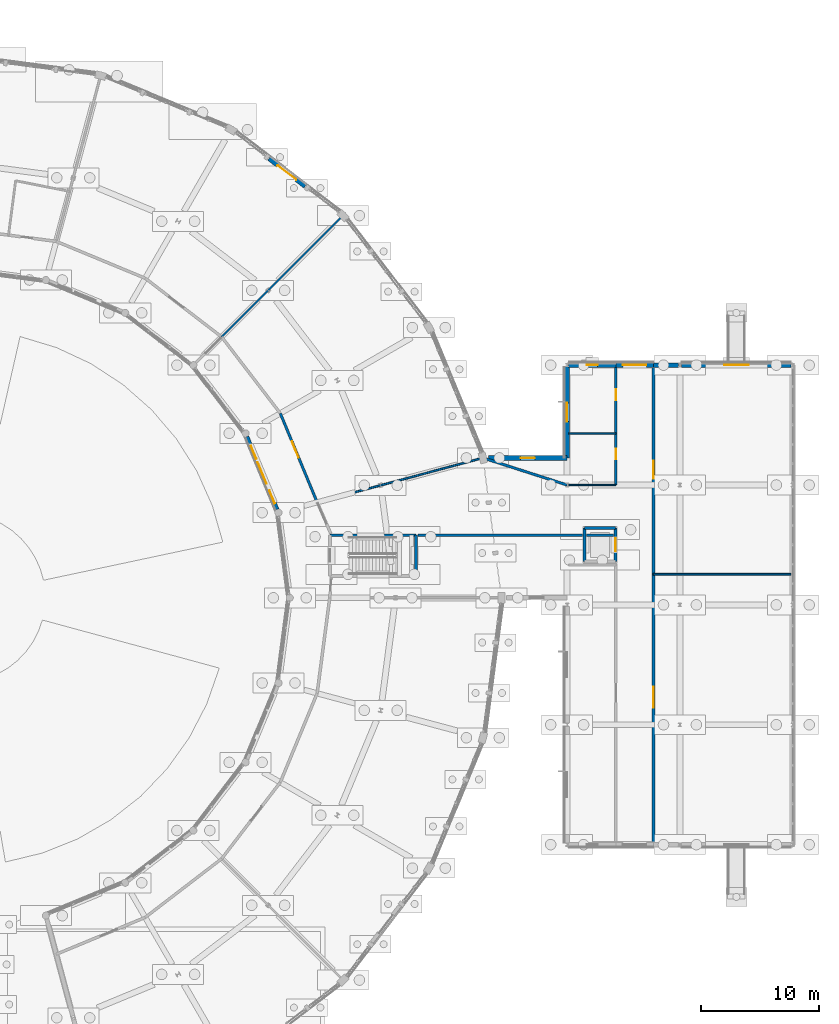
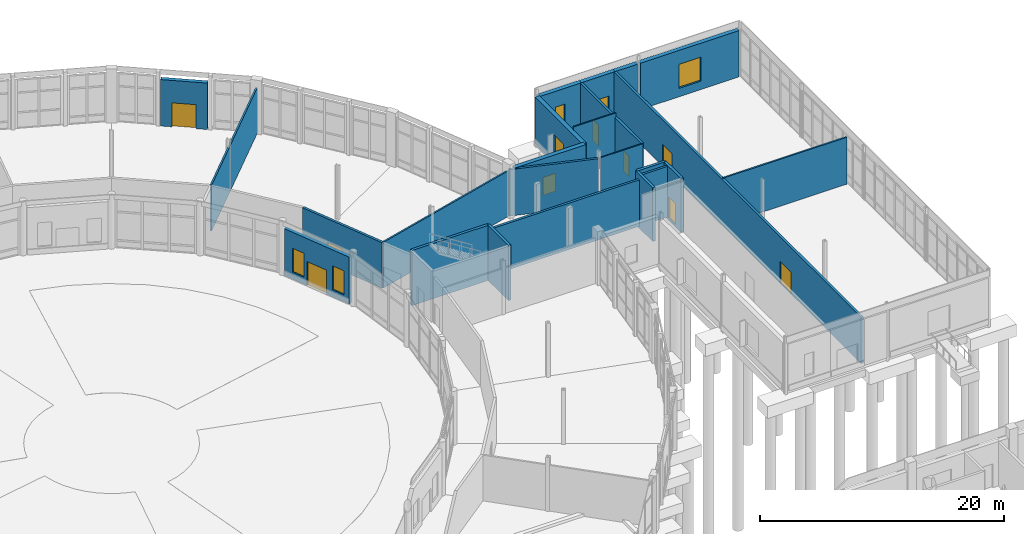
# One storey, part 113 of 137: 24 walls, 9 doors, 6 windows, 15 openings.
"""IFC4 building model written with IfcOpenShell, lengths in metres."""

from ifc_helpers import new_model, si_unit, direction, frame, frame_2d, origin, place, context, subcontext, project, spatial, rectangle, extrude, material, layer, layer_set, type_object, element, fill, save


model = new_model("IFC4")

# Units and contexts
model_context = context("Model", 3, precision=1e-05, world=origin(), true_north=direction((0.0, 1.0)))
body_context = subcontext(model_context, "Body", "Model", "MODEL_VIEW")
ifc_project = project(units=[si_unit("LENGTHUNIT", "METRE"), si_unit("AREAUNIT", "SQUARE_METRE"), si_unit("VOLUMEUNIT", "CUBIC_METRE"), si_unit("PLANEANGLEUNIT", "RADIAN"), si_unit("MASSUNIT", "GRAM", prefix="KILO")], contexts=[model_context])

# Site, building, storey
site_placement = place(None, origin())
site = spatial("IfcSite", under=ifc_project, at=site_placement, CompositionType="ELEMENT")
building_placement = place(site_placement, origin())
building = spatial("IfcBuilding", under=site, at=building_placement, Name="Vondelvale Polytechnic", CompositionType="ELEMENT")
storey_placement = place(building_placement, origin())
storey = spatial("IfcBuildingStorey", under=building, at=storey_placement, Name="L00", CompositionType="ELEMENT", Elevation=0.0)

# Wall, openings, door, windows
ifc_material_1 = material(Name="Amsterdam School iron-spot clinker clay brickwork", Category="masonry")
ifc_layer_1 = layer(ifc_material_1, 0.320068359375)
ifc_layer_set_1 = layer_set([ifc_layer_1], Name="WL-BRICK-320")
wall_type_1 = type_object("IfcWallType", Name="WL-BRICK-320", PredefinedType="SOLIDWALL", material=ifc_layer_set_1)
wall_1_placement = place(storey_placement, frame((128.9306640625, 79.52490234375, 0.0), z_axis=(0.0, 0.0, 1.0), x_axis=(-0.382652897157, 0.923892180018, 0.0)))
wall_1 = element("IfcWall", 1, at=wall_1_placement, inside=storey, type_object=wall_type_1, Name="L00 exterior masonry facade wall", PredefinedType="SOLIDWALL", context=body_context, shape_type="SweptSolid", body=[
    extrude(rectangle(XDim=6.70751953125, YDim=0.320068359375, at=frame_2d((3.353759765625, 0.0))), origin(), (0.0, 0.0, 1.0), 4.694091796875),
])
opening_1_placement = place(wall_1_placement, frame((2.353759765625, 0.0, 0.0)))
opening_1 = element("IfcOpeningElement", 2, at=opening_1_placement, cuts=wall_1, Name="Opening ED-025", PredefinedType="OPENING", context=body_context, shape_type="SweptSolid", body=[
    extrude(rectangle(XDim=2.0, YDim=2.39990234375, at=frame_2d((1.0, 1.199951171875))), frame((0.0, 0.169921875, 0.0), z_axis=(0.0, -1.0, 0.0), x_axis=(1.0, 0.0, 0.0)), (0.0, 0.0, 1.0), 0.340087890625),
])
opening_2_placement = place(wall_1_placement, frame((0.550048828125, 0.0, 0.699951171875)))
opening_2 = element("IfcOpeningElement", 3, at=opening_2_placement, cuts=wall_1, Name="Opening WN-0446", PredefinedType="OPENING", context=body_context, shape_type="SweptSolid", body=[
    extrude(rectangle(XDim=1.199951171875, YDim=2.39990234375, at=frame_2d((0.60009765625, 1.199951171875))), frame((0.0, 0.169921875, 0.0), z_axis=(0.0, -1.0, 0.0), x_axis=(1.0, 0.0, 0.0)), (0.0, 0.0, 1.0), 0.340087890625),
])
opening_3_placement = place(wall_1_placement, frame((4.64990234375, 0.0, 0.699951171875)))
opening_3 = element("IfcOpeningElement", 4, at=opening_3_placement, cuts=wall_1, Name="Opening WN-0447", PredefinedType="OPENING", context=body_context, shape_type="SweptSolid", body=[
    extrude(rectangle(XDim=1.199951171875, YDim=2.39990234375, at=frame_2d((0.60009765625, 1.199951171875))), frame((0.0, 0.169921875, 0.0), z_axis=(0.0, -1.0, 0.0), x_axis=(1.0, 0.0, 0.0)), (0.0, 0.0, 1.0), 0.340087890625),
])
ifc_material_2 = material(Name="Anodised extruded aluminium 6063-T6", Category="aluminium")
door_type_1 = type_object("IfcDoorType", Name="DR-EXT-2000x2400", OperationType="DOUBLE_DOOR_SINGLE_SWING", PredefinedType="DOOR", material=ifc_material_2)
door_1_placement = place(opening_1_placement, origin())
door_1 = element("IfcDoor", 5, at=door_1_placement, inside=storey, type_object=door_type_1, Name="L00 exterior entrance/exit door ED-025", OperationType="DOUBLE_DOOR_SINGLE_SWING", OverallHeight=2.39990234375, OverallWidth=2.0, PredefinedType="DOOR", context=body_context, shape_type="SweptSolid", body=[
    extrude(rectangle(XDim=2.0, YDim=2.39990234375, at=frame_2d((1.0, 1.199951171875))), frame((0.0, 0.02490234375, 0.0), z_axis=(0.0, -1.0, 0.0), x_axis=(1.0, 0.0, 0.0)), (0.0, 0.0, 1.0), 0.050048828125),
])
fill(opening_1, door_1)
ifc_material_3 = material(Name="Double-glazed low-E insulated architectural glass", Category="glass")
window_type_1 = type_object("IfcWindowType", Name="WN-ARCH-1200x2400", PartitioningType="SINGLE_PANEL", PredefinedType="WINDOW", material=ifc_material_3)
window_1_placement = place(opening_2_placement, origin())
window_1 = element("IfcWindow", 6, at=window_1_placement, inside=storey, type_object=window_type_1, Name="L00 double-glazed architectural window WN-0446", OverallHeight=2.39990234375, OverallWidth=1.199951171875, PartitioningType="SINGLE_PANEL", PredefinedType="WINDOW", context=body_context, shape_type="SweptSolid", body=[
    extrude(rectangle(XDim=1.199951171875, YDim=2.39990234375, at=frame_2d((0.60009765625, 1.199951171875))), frame((0.0, 0.030029296875, 0.0), z_axis=(0.0, -1.0, 0.0), x_axis=(1.0, 0.0, 0.0)), (0.0, 0.0, 1.0), 0.06005859375),
])
fill(opening_2, window_1)
window_2_placement = place(opening_3_placement, origin())
window_2 = element("IfcWindow", 7, at=window_2_placement, inside=storey, type_object=window_type_1, Name="L00 double-glazed architectural window WN-0447", OverallHeight=2.39990234375, OverallWidth=1.199951171875, PartitioningType="SINGLE_PANEL", PredefinedType="WINDOW", context=body_context, shape_type="SweptSolid", body=[
    extrude(rectangle(XDim=1.199951171875, YDim=2.39990234375, at=frame_2d((0.60009765625, 1.199951171875))), frame((0.0, 0.030029296875, 0.0), z_axis=(0.0, -1.0, 0.0), x_axis=(1.0, 0.0, 0.0)), (0.0, 0.0, 1.0), 0.06005859375),
])
fill(opening_3, window_2)

# Wall, opening, door
ifc_layer_2 = layer(ifc_material_1, 0.35009765625)
ifc_layer_set_2 = layer_set([ifc_layer_2], Name="WL-BRICK-350")
wall_type_2 = type_object("IfcWallType", Name="WL-BRICK-350", PredefinedType="SOLIDWALL", material=ifc_layer_set_2)
wall_2_placement = place(storey_placement, frame((128.227783203125, 109.3603515625, 0.0), z_axis=(0.0, 0.0, 1.0), x_axis=(0.79338299148, -0.608722784878, 0.0)))
wall_2 = element("IfcWall", 8, at=wall_2_placement, inside=storey, type_object=wall_type_2, Name="L00 exterior masonry facade wall", PredefinedType="SOLIDWALL", context=body_context, shape_type="SweptSolid", body=[
    extrude(rectangle(XDim=3.87109375, YDim=0.35009765625, at=frame_2d((1.935546875, 0.0))), origin(), (0.0, 0.0, 1.0), 4.64306640625),
])
opening_4_placement = place(wall_2_placement, frame((0.935546875, 0.0, 0.0)))
opening_4 = element("IfcOpeningElement", 9, at=opening_4_placement, cuts=wall_2, Name="Opening ED-026", PredefinedType="OPENING", context=body_context, shape_type="SweptSolid", body=[
    extrude(rectangle(XDim=2.0, YDim=2.39990234375, at=frame_2d((1.0, 1.199951171875))), frame((0.0, 0.18505859375, 0.0), z_axis=(0.0, -1.0, 0.0), x_axis=(1.0, 0.0, 0.0)), (0.0, 0.0, 1.0), 0.3701171875),
])
door_2_placement = place(opening_4_placement, origin())
door_2 = element("IfcDoor", 10, at=door_2_placement, inside=storey, type_object=door_type_1, Name="L00 exterior entrance/exit door ED-026", OperationType="DOUBLE_DOOR_SINGLE_SWING", OverallHeight=2.39990234375, OverallWidth=2.0, PredefinedType="DOOR", context=body_context, shape_type="SweptSolid", body=[
    extrude(rectangle(XDim=2.0, YDim=2.39990234375, at=frame_2d((1.0, 1.199951171875))), frame((0.0, 0.02490234375, 0.0), z_axis=(0.0, -1.0, 0.0), x_axis=(1.0, 0.0, 0.0)), (0.0, 0.0, 1.0), 0.050048828125),
])
fill(opening_4, door_2)

# Walls
ifc_material_4 = material(Name="Concrete N40 (f'c = 40 MPa)", Category="concrete")
ifc_layer_3 = layer(ifc_material_4, 0.25)
ifc_layer_set_3 = layer_set([ifc_layer_3], Name="WL-CORE-250")
wall_type_3 = type_object("IfcWallType", Name="WL-CORE-250", PredefinedType="SOLIDWALL", material=ifc_layer_set_3)
wall_3_placement = place(storey_placement, frame((140.72509765625, 73.875, -0.39990234375), z_axis=(0.0, 0.0, 1.0), x_axis=(0.0, 1.0, 0.0)))
element("IfcWall", 11, at=wall_3_placement, inside=storey, type_object=wall_type_3, Name="L00 ST-08 reinforced concrete stair core wall", PredefinedType="SOLIDWALL", context=body_context, shape_type="SweptSolid", body=[
    extrude(rectangle(XDim=3.449951171875, YDim=0.25, at=frame_2d((1.72509765625, 0.0))), origin(), (0.0, 0.0, 1.0), 5.52001953125),
])
wall_4_placement = place(storey_placement, frame((140.72509765625, 77.324951171875, -0.39990234375), z_axis=(0.0, 0.0, 1.0), x_axis=(-1.0, 0.0, 0.0)))
element("IfcWall", 12, at=wall_4_placement, inside=storey, type_object=wall_type_3, Name="L00 ST-08 reinforced concrete stair core wall", PredefinedType="SOLIDWALL", context=body_context, shape_type="SweptSolid", body=[
    extrude(rectangle(XDim=7.300048828125, YDim=0.25, at=frame_2d((3.64990234375, 0.0))), origin(), (0.0, 0.0, 1.0), 5.52001953125),
])
ifc_material_5 = material(Name="Fire-rated double-layer plasterboard stud partition")
ifc_layer_4 = layer(ifc_material_5, 0.219970703125)
ifc_layer_set_4 = layer_set([ifc_layer_4], Name="WL-CORR-220")
wall_type_4 = type_object("IfcWallType", Name="WL-CORR-220", PredefinedType="PARTITIONING", material=ifc_layer_set_4)
wall_5_placement = place(storey_placement, frame((140.889892578125, 77.324951171875, 0.0), z_axis=(0.0, 0.0, 1.0), x_axis=(1.0, 0.0, 0.0)))
element("IfcWall", 13, at=wall_5_placement, inside=storey, type_object=wall_type_4, Name="L00 interior acoustic partition", PredefinedType="PARTITIONING", context=body_context, shape_type="SweptSolid", body=[
    extrude(rectangle(XDim=14.02001953125, YDim=0.219970703125, at=frame_2d((7.010009765625, 0.0))), origin(), (0.0, 0.0, 1.0), 4.64306640625),
])
wall_6_placement = place(storey_placement, frame((155.239990234375, 77.324951171875, 0.0), z_axis=(0.0, 0.0, 1.0), x_axis=(1.0, 0.0, 0.0)))
element("IfcWall", 14, at=wall_6_placement, inside=storey, type_object=wall_type_4, Name="L00 interior acoustic partition", PredefinedType="PARTITIONING", context=body_context, shape_type="SweptSolid", body=[
    extrude(rectangle(XDim=2.320068359375, YDim=0.219970703125, at=frame_2d((1.16015625, 0.0))), origin(), (0.0, 0.0, 1.0), 5.050048828125),
])
wall_7_placement = place(storey_placement, frame((146.4326171875, 83.90576171875, 0.0), z_axis=(0.0, 0.0, 1.0), x_axis=(0.951957686255, -0.306229592921, 0.0)))
element("IfcWall", 15, at=wall_7_placement, inside=storey, type_object=wall_type_4, Name="L00 interior acoustic partition", PredefinedType="PARTITIONING", context=body_context, shape_type="SweptSolid", body=[
    extrude(rectangle(XDim=7.529296875, YDim=0.219970703125, at=frame_2d((3.7646484375, 0.0))), origin(), (0.0, 0.0, 1.0), 4.64306640625),
])

# Wall, openings, doors
wall_8_placement = place(storey_placement, frame((160.949951171875, 51.14990234375, 0.0), z_axis=(0.0, 0.0, 1.0), x_axis=(0.0, 1.0, 0.0)))
wall_8 = element("IfcWall", 16, at=wall_8_placement, inside=storey, type_object=wall_type_4, Name="L00 interior acoustic partition", PredefinedType="PARTITIONING", context=body_context, shape_type="SweptSolid", body=[
    extrude(rectangle(XDim=40.5, YDim=0.219970703125, at=frame_2d((20.25, 0.0))), origin(), (0.0, 0.0, 1.0), 4.639892578125),
])
opening_5_placement = place(wall_8_placement, frame((11.5, 0.0, 0.0)))
opening_5 = element("IfcOpeningElement", 17, at=opening_5_placement, cuts=wall_8, Name="Opening ID-0282", PredefinedType="OPENING", context=body_context, shape_type="SweptSolid", body=[
    extrude(rectangle(XDim=1.800048828125, YDim=2.199951171875, at=frame_2d((0.89990234375, 1.10009765625))), frame((0.0, 0.119873046875, 0.0), z_axis=(0.0, -1.0, 0.0), x_axis=(1.0, 0.0, 0.0)), (0.0, 0.0, 1.0), 0.239990234375),
])
opening_6_placement = place(wall_8_placement, frame((31.0, 0.0, 0.0)))
opening_6 = element("IfcOpeningElement", 18, at=opening_6_placement, cuts=wall_8, Name="Opening ID-0283", PredefinedType="OPENING", context=body_context, shape_type="SweptSolid", body=[
    extrude(rectangle(XDim=1.5, YDim=2.199951171875, at=frame_2d((0.75, 1.10009765625))), frame((0.0, 0.119873046875, 0.0), z_axis=(0.0, -1.0, 0.0), x_axis=(1.0, 0.0, 0.0)), (0.0, 0.0, 1.0), 0.239990234375),
])
ifc_material_6 = material(Name="Engineered Tasmanian oak studio and bridge joinery")
door_type_2 = type_object("IfcDoorType", Name="DR-COR-1800x2200", OperationType="DOUBLE_DOOR_SINGLE_SWING", PredefinedType="DOOR", material=ifc_material_6)
door_3_placement = place(opening_5_placement, origin())
door_3 = element("IfcDoor", 19, at=door_3_placement, inside=storey, type_object=door_type_2, Name="L00 interior room door ID-0282", OperationType="DOUBLE_DOOR_SINGLE_SWING", OverallHeight=2.199951171875, OverallWidth=1.800048828125, PredefinedType="DOOR", context=body_context, shape_type="SweptSolid", body=[
    extrude(rectangle(XDim=1.800048828125, YDim=2.199951171875, at=frame_2d((0.89990234375, 1.10009765625))), frame((0.0, 0.02490234375, 0.0), z_axis=(0.0, -1.0, 0.0), x_axis=(1.0, 0.0, 0.0)), (0.0, 0.0, 1.0), 0.050048828125),
])
fill(opening_5, door_3)
ifc_material_7 = material(Name="Fire-rated solid Tasmanian oak joinery")
door_type_3 = type_object("IfcDoorType", Name="DR-LAB-1500x2200", OperationType="DOUBLE_DOOR_SINGLE_SWING", PredefinedType="DOOR", material=ifc_material_7)
door_4_placement = place(opening_6_placement, origin())
door_4 = element("IfcDoor", 20, at=door_4_placement, inside=storey, type_object=door_type_3, Name="L00 interior room door ID-0283", OperationType="DOUBLE_DOOR_SINGLE_SWING", OverallHeight=2.199951171875, OverallWidth=1.5, PredefinedType="DOOR", context=body_context, shape_type="SweptSolid", body=[
    extrude(rectangle(XDim=1.5, YDim=2.199951171875, at=frame_2d((0.75, 1.10009765625))), frame((0.0, 0.02490234375, 0.0), z_axis=(0.0, -1.0, 0.0), x_axis=(1.0, 0.0, 0.0)), (0.0, 0.0, 1.0), 0.050048828125),
])
fill(opening_6, door_4)

wall_9_placement = place(storey_placement, frame((157.75, 81.60009765625, 0.0), z_axis=(0.0, 0.0, 1.0), x_axis=(0.0, 1.0, 0.0)))
wall_9 = element("IfcWall", 21, at=wall_9_placement, inside=storey, type_object=wall_type_4, Name="L00 interior acoustic partition", PredefinedType="PARTITIONING", context=body_context, shape_type="SweptSolid", body=[
    extrude(rectangle(XDim=10.0498046875, YDim=0.219970703125, at=frame_2d((5.02490234375, 0.0))), origin(), (0.0, 0.0, 1.0), 4.639892578125),
])
opening_7_placement = place(wall_9_placement, frame((2.199951171875, 0.0, 0.0)))
opening_7 = element("IfcOpeningElement", 22, at=opening_7_placement, cuts=wall_9, Name="Opening ID-0285", PredefinedType="OPENING", context=body_context, shape_type="SweptSolid", body=[
    extrude(rectangle(XDim=0.89990234375, YDim=2.050048828125, at=frame_2d((0.449951171875, 1.02490234375))), frame((0.0, 0.119873046875, 0.0), z_axis=(0.0, -1.0, 0.0), x_axis=(1.0, 0.0, 0.0)), (0.0, 0.0, 1.0), 0.239990234375),
])
opening_8_placement = place(wall_9_placement, frame((7.199951171875, 0.0, 0.0)))
opening_8 = element("IfcOpeningElement", 23, at=opening_8_placement, cuts=wall_9, Name="Opening ID-0286", PredefinedType="OPENING", context=body_context, shape_type="SweptSolid", body=[
    extrude(rectangle(XDim=0.949951171875, YDim=2.10009765625, at=frame_2d((0.47509765625, 1.050048828125))), frame((0.0, 0.119873046875, 0.0), z_axis=(0.0, -1.0, 0.0), x_axis=(1.0, 0.0, 0.0)), (0.0, 0.0, 1.0), 0.239990234375),
])
door_type_4 = type_object("IfcDoorType", Name="DR-INT-0950x2100", OperationType="SINGLE_SWING_LEFT", PredefinedType="DOOR", material=ifc_material_7)
door_5_placement = place(opening_8_placement, origin())
door_5 = element("IfcDoor", 24, at=door_5_placement, inside=storey, type_object=door_type_4, Name="L00 interior room door ID-0286", OperationType="SINGLE_SWING_RIGHT", OverallHeight=2.10009765625, OverallWidth=0.949951171875, PredefinedType="DOOR", context=body_context, shape_type="SweptSolid", body=[
    extrude(rectangle(XDim=0.949951171875, YDim=2.10009765625, at=frame_2d((0.47509765625, 1.050048828125))), frame((0.0, 0.02490234375, 0.0), z_axis=(0.0, -1.0, 0.0), x_axis=(1.0, 0.0, 0.0)), (0.0, 0.0, 1.0), 0.050048828125),
])
fill(opening_8, door_5)
door_type_5 = type_object("IfcDoorType", Name="DR-WC-0900x2050", OperationType="SINGLE_SWING_RIGHT", PredefinedType="DOOR", material=ifc_material_7)
door_6_placement = place(opening_7_placement, origin())
door_6 = element("IfcDoor", 25, at=door_6_placement, inside=storey, type_object=door_type_5, Name="L00 interior room door ID-0285", OperationType="SINGLE_SWING_LEFT", OverallHeight=2.050048828125, OverallWidth=0.89990234375, PredefinedType="DOOR", context=body_context, shape_type="SweptSolid", body=[
    extrude(rectangle(XDim=0.89990234375, YDim=2.050048828125, at=frame_2d((0.449951171875, 1.02490234375))), frame((0.0, 0.02490234375, 0.0), z_axis=(0.0, -1.0, 0.0), x_axis=(1.0, 0.0, 0.0)), (0.0, 0.0, 1.0), 0.050048828125),
])
fill(opening_7, door_6)

# Wall, opening, door
wall_10_placement = place(storey_placement, frame((132.330078125, 80.126953125, 0.0), z_axis=(0.0, 0.0, 1.0), x_axis=(-0.382696385238, 0.923874167149, 0.0)))
wall_10 = element("IfcWall", 26, at=wall_10_placement, inside=storey, type_object=wall_type_4, Name="L00 interior acoustic partition", PredefinedType="PARTITIONING", context=body_context, shape_type="SweptSolid", body=[
    extrude(rectangle(XDim=8.197021484375, YDim=0.219970703125, at=frame_2d((4.0986328125, 0.0))), origin(), (0.0, 0.0, 1.0), 4.56689453125),
])
opening_9_placement = place(wall_10_placement, frame((4.10009765625, 0.0, 0.0)))
opening_9 = element("IfcOpeningElement", 27, at=opening_9_placement, cuts=wall_10, Name="Opening ID-0289", PredefinedType="OPENING", context=body_context, shape_type="SweptSolid", body=[
    extrude(rectangle(XDim=1.5, YDim=2.199951171875, at=frame_2d((0.75, 1.10009765625))), frame((0.0, 0.119873046875, 0.0), z_axis=(0.0, -1.0, 0.0), x_axis=(1.0, 0.0, 0.0)), (0.0, 0.0, 1.0), 0.239990234375),
])
door_7_placement = place(opening_9_placement, origin())
door_7 = element("IfcDoor", 28, at=door_7_placement, inside=storey, type_object=door_type_3, Name="L00 interior room door ID-0289", OperationType="DOUBLE_DOOR_SINGLE_SWING", OverallHeight=2.199951171875, OverallWidth=1.5, PredefinedType="DOOR", context=body_context, shape_type="SweptSolid", body=[
    extrude(rectangle(XDim=1.5, YDim=2.199951171875, at=frame_2d((0.75, 1.10009765625))), frame((0.0, 0.02490234375, 0.0), z_axis=(0.0, -1.0, 0.0), x_axis=(1.0, 0.0, 0.0)), (0.0, 0.0, 1.0), 0.050048828125),
])
fill(opening_9, door_7)

# Walls
ifc_layer_5 = layer(ifc_material_5, 0.1201171875)
ifc_layer_set_5 = layer_set([ifc_layer_5], Name="WL-INT-120")
wall_type_5 = type_object("IfcWallType", Name="WL-INT-120", PredefinedType="PARTITIONING", material=ifc_layer_set_5)
wall_11_placement = place(storey_placement, frame((153.75, 81.60009765625, 0.0), z_axis=(0.0, 0.0, 1.0), x_axis=(1.0, 0.0, 0.0)))
element("IfcWall", 29, at=wall_11_placement, inside=storey, type_object=wall_type_5, Name="L00 interior acoustic partition", PredefinedType="PARTITIONING", context=body_context, shape_type="SweptSolid", body=[
    extrude(rectangle(XDim=4.0, YDim=0.1201171875, at=frame_2d((2.0, 0.0))), origin(), (0.0, 0.0, 1.0), 4.639892578125),
])
wall_12_placement = place(storey_placement, frame((153.75, 86.0, 0.0), z_axis=(0.0, 0.0, 1.0), x_axis=(1.0, 0.0, 0.0)))
element("IfcWall", 30, at=wall_12_placement, inside=storey, type_object=wall_type_5, Name="L00 interior acoustic partition", PredefinedType="PARTITIONING", context=body_context, shape_type="SweptSolid", body=[
    extrude(rectangle(XDim=4.0, YDim=0.1201171875, at=frame_2d((2.0, 0.0))), origin(), (0.0, 0.0, 1.0), 5.050048828125),
])
ifc_layer_6 = layer(ifc_material_5, 0.14990234375)
ifc_layer_set_6 = layer_set([ifc_layer_6], Name="WL-INT-150")
wall_type_6 = type_object("IfcWallType", Name="WL-INT-150", PredefinedType="PARTITIONING", material=ifc_layer_set_6)
wall_13_placement = place(storey_placement, frame((132.330078125, 80.126953125, 0.0), z_axis=(0.0, 0.0, 1.0), x_axis=(0.965928107853, 0.258810530041, 0.0)))
element("IfcWall", 31, at=wall_13_placement, inside=storey, type_object=wall_type_6, Name="L00 interior acoustic partition", PredefinedType="PARTITIONING", context=body_context, shape_type="SweptSolid", body=[
    extrude(rectangle(XDim=14.47998046875, YDim=0.14990234375, at=frame_2d((7.239990234375, 0.0))), origin(), (0.0, 0.0, 1.0), 4.56689453125),
])
wall_14_placement = place(storey_placement, frame((160.949951171875, 74.0, 0.0), z_axis=(0.0, 0.0, 1.0), x_axis=(1.0, 0.0, 0.0)))
element("IfcWall", 32, at=wall_14_placement, inside=storey, type_object=wall_type_6, Name="L00 interior acoustic partition", PredefinedType="PARTITIONING", context=body_context, shape_type="SweptSolid", body=[
    extrude(rectangle(XDim=11.699951171875, YDim=0.14990234375, at=frame_2d((5.85009765625, 0.0))), origin(), (0.0, 0.0, 1.0), 4.694091796875),
])
wall_15_placement = place(storey_placement, frame((124.203125, 94.203125, 0.0), z_axis=(0.0, 0.0, 1.0), x_axis=(0.707106781187, 0.707106781187, 0.0)))
element("IfcWall", 33, at=wall_15_placement, inside=storey, type_object=wall_type_6, Name="L00 interior acoustic partition", PredefinedType="PARTITIONING", context=body_context, shape_type="SweptSolid", body=[
    extrude(rectangle(XDim=14.480224609375, YDim=0.14990234375, at=frame_2d((7.240234375, 0.0))), origin(), (0.0, 0.0, 1.0), 4.56689453125),
])

# Wall, opening, window
ifc_material_8 = material(Name="Malmsbury bluestone ashlar stone masonry", Category="masonry")
ifc_layer_7 = layer(ifc_material_8, 0.39990234375)
ifc_layer_set_7 = layer_set([ifc_layer_7], Name="WL-PLINTH-400")
wall_type_7 = type_object("IfcWallType", Name="WL-PLINTH-400", PredefinedType="SOLIDWALL", material=ifc_layer_set_7)
wall_16_placement = place(storey_placement, frame((153.73095703125, 91.800048828125, 0.0), z_axis=(0.0, 0.0, 1.0), x_axis=(1.0, 0.0, 0.0)))
wall_16 = element("IfcWall", 34, at=wall_16_placement, inside=storey, type_object=wall_type_7, Name="L00 exterior masonry facade wall", PredefinedType="SOLIDWALL", context=body_context, shape_type="SweptSolid", body=[
    extrude(rectangle(XDim=4.01904296875, YDim=0.39990234375, at=frame_2d((2.009521484375, 0.0))), origin(), (0.0, 0.0, 1.0), 4.639892578125),
])
opening_10_placement = place(wall_16_placement, frame((1.5595703125, 0.0, 0.85009765625)))
opening_10 = element("IfcOpeningElement", 35, at=opening_10_placement, cuts=wall_16, Name="Opening WN-0460", PredefinedType="OPENING", context=body_context, shape_type="SweptSolid", body=[
    extrude(rectangle(XDim=0.89990234375, YDim=2.199951171875, at=frame_2d((0.449951171875, 1.10009765625))), frame((0.0, 0.2099609375, 0.0), z_axis=(0.0, -1.0, 0.0), x_axis=(1.0, 0.0, 0.0)), (0.0, 0.0, 1.0), 0.419921875),
])
window_type_2 = type_object("IfcWindowType", Name="WN-TUR-0900x2200", PartitioningType="SINGLE_PANEL", PredefinedType="WINDOW", material=ifc_material_3)
window_3_placement = place(opening_10_placement, origin())
window_3 = element("IfcWindow", 36, at=window_3_placement, inside=storey, type_object=window_type_2, Name="L00 double-glazed architectural window WN-0460", OverallHeight=2.199951171875, OverallWidth=0.89990234375, PartitioningType="SINGLE_PANEL", PredefinedType="WINDOW", context=body_context, shape_type="SweptSolid", body=[
    extrude(rectangle(XDim=0.89990234375, YDim=2.199951171875, at=frame_2d((0.449951171875, 1.10009765625))), frame((0.0, 0.030029296875, 0.0), z_axis=(0.0, -1.0, 0.0), x_axis=(1.0, 0.0, 0.0)), (0.0, 0.0, 1.0), 0.06005859375),
])
fill(opening_10, window_3)

# Wall, opening, door
wall_17_placement = place(storey_placement, frame((157.75, 91.800048828125, 0.0), z_axis=(0.0, 0.0, 1.0), x_axis=(1.0, 0.0, 0.0)))
wall_17 = element("IfcWall", 37, at=wall_17_placement, inside=storey, type_object=wall_type_7, Name="L00 exterior masonry facade wall", PredefinedType="SOLIDWALL", context=body_context, shape_type="SweptSolid", body=[
    extrude(rectangle(XDim=3.199951171875, YDim=0.39990234375, at=frame_2d((1.60009765625, 0.0))), origin(), (0.0, 0.0, 1.0), 4.639892578125),
])
opening_11_placement = place(wall_17_placement, frame((0.60009765625, 0.0, 0.0)))
opening_11 = element("IfcOpeningElement", 38, at=opening_11_placement, cuts=wall_17, Name="Opening ED-037", PredefinedType="OPENING", context=body_context, shape_type="SweptSolid", body=[
    extrude(rectangle(XDim=2.0, YDim=2.39990234375, at=frame_2d((1.0, 1.199951171875))), frame((0.0, 0.2099609375, 0.0), z_axis=(0.0, -1.0, 0.0), x_axis=(1.0, 0.0, 0.0)), (0.0, 0.0, 1.0), 0.419921875),
])
door_8_placement = place(opening_11_placement, origin())
door_8 = element("IfcDoor", 39, at=door_8_placement, inside=storey, type_object=door_type_1, Name="L00 exterior entrance/exit door ED-037", OperationType="DOUBLE_DOOR_SINGLE_SWING", OverallHeight=2.39990234375, OverallWidth=2.0, PredefinedType="DOOR", context=body_context, shape_type="SweptSolid", body=[
    extrude(rectangle(XDim=2.0, YDim=2.39990234375, at=frame_2d((1.0, 1.199951171875))), frame((0.0, 0.02490234375, 0.0), z_axis=(0.0, -1.0, 0.0), x_axis=(1.0, 0.0, 0.0)), (0.0, 0.0, 1.0), 0.050048828125),
])
fill(opening_11, door_8)

# Wall
wall_18_placement = place(storey_placement, frame((160.949951171875, 91.800048828125, 0.0), z_axis=(0.0, 0.0, 1.0), x_axis=(1.0, 0.0, 0.0)))
element("IfcWall", 40, at=wall_18_placement, inside=storey, type_object=wall_type_7, Name="L00 exterior masonry facade wall", PredefinedType="SOLIDWALL", context=body_context, shape_type="SweptSolid", body=[
    extrude(rectangle(XDim=2.119140625, YDim=0.39990234375, at=frame_2d((1.0595703125, 0.0))), origin(), (0.0, 0.0, 1.0), 4.639892578125),
])

# Wall, opening, window
wall_19_placement = place(storey_placement, frame((163.3310546875, 91.800048828125, 0.0), z_axis=(0.0, 0.0, 1.0), x_axis=(1.0, 0.0, 0.0)))
wall_19 = element("IfcWall", 41, at=wall_19_placement, inside=storey, type_object=wall_type_7, Name="L00 exterior masonry facade wall", PredefinedType="SOLIDWALL", context=body_context, shape_type="SweptSolid", body=[
    extrude(rectangle(XDim=9.337890625, YDim=0.39990234375, at=frame_2d((4.6689453125, 0.0))), origin(), (0.0, 0.0, 1.0), 4.639892578125),
])
opening_12_placement = place(wall_19_placement, frame((3.618896484375, 0.0, 0.85009765625)))
opening_12 = element("IfcOpeningElement", 42, at=opening_12_placement, cuts=wall_19, Name="Opening WN-0461", PredefinedType="OPENING", context=body_context, shape_type="SweptSolid", body=[
    extrude(rectangle(XDim=2.10009765625, YDim=2.39990234375, at=frame_2d((1.050048828125, 1.199951171875))), frame((0.0, 0.2099609375, 0.0), z_axis=(0.0, -1.0, 0.0), x_axis=(1.0, 0.0, 0.0)), (0.0, 0.0, 1.0), 0.419921875),
])
window_type_3 = type_object("IfcWindowType", Name="WN-STUDIO-2100x2400", PartitioningType="SINGLE_PANEL", PredefinedType="WINDOW", material=ifc_material_3)
window_4_placement = place(opening_12_placement, origin())
window_4 = element("IfcWindow", 43, at=window_4_placement, inside=storey, type_object=window_type_3, Name="L00 double-glazed architectural window WN-0461", OverallHeight=2.39990234375, OverallWidth=2.10009765625, PartitioningType="SINGLE_PANEL", PredefinedType="WINDOW", context=body_context, shape_type="SweptSolid", body=[
    extrude(rectangle(XDim=2.10009765625, YDim=2.39990234375, at=frame_2d((1.050048828125, 1.199951171875))), frame((0.0, 0.030029296875, 0.0), z_axis=(0.0, -1.0, 0.0), x_axis=(1.0, 0.0, 0.0)), (0.0, 0.0, 1.0), 0.06005859375),
])
fill(opening_12, window_4)

wall_20_placement = place(storey_placement, frame((153.60009765625, 83.90576171875, 0.0), z_axis=(0.0, 0.0, 1.0), x_axis=(0.0, 1.0, 0.0)))
wall_20 = element("IfcWall", 44, at=wall_20_placement, inside=storey, type_object=wall_type_7, Name="L00 exterior masonry facade wall", PredefinedType="SOLIDWALL", context=body_context, shape_type="SweptSolid", body=[
    extrude(rectangle(XDim=7.76318359375, YDim=0.39990234375, at=frame_2d((3.881591796875, 0.0))), origin(), (0.0, 0.0, 1.0), 4.694091796875),
])
opening_13_placement = place(wall_20_placement, frame((3.08154296875, 0.0, 0.89990234375)))
opening_13 = element("IfcOpeningElement", 45, at=opening_13_placement, cuts=wall_20, Name="Opening WN-0466", PredefinedType="OPENING", context=body_context, shape_type="SweptSolid", body=[
    extrude(rectangle(XDim=1.60009765625, YDim=1.89990234375, at=frame_2d((0.800048828125, 0.949951171875))), frame((0.0, 0.2099609375, 0.0), z_axis=(0.0, -1.0, 0.0), x_axis=(1.0, 0.0, 0.0)), (0.0, 0.0, 1.0), 0.419921875),
])
window_type_4 = type_object("IfcWindowType", Name="WN-SEM-1600x1900", PartitioningType="SINGLE_PANEL", PredefinedType="WINDOW", material=ifc_material_3)
window_5_placement = place(opening_13_placement, origin())
window_5 = element("IfcWindow", 46, at=window_5_placement, inside=storey, type_object=window_type_4, Name="L00 double-glazed architectural window WN-0466", OverallHeight=1.89990234375, OverallWidth=1.60009765625, PartitioningType="SINGLE_PANEL", PredefinedType="WINDOW", context=body_context, shape_type="SweptSolid", body=[
    extrude(rectangle(XDim=1.60009765625, YDim=1.89990234375, at=frame_2d((0.800048828125, 0.949951171875))), frame((0.0, 0.030029296875, 0.0), z_axis=(0.0, -1.0, 0.0), x_axis=(1.0, 0.0, 0.0)), (0.0, 0.0, 1.0), 0.06005859375),
])
fill(opening_13, window_5)

wall_21_placement = place(storey_placement, frame((146.8994140625, 83.90576171875, 0.0), z_axis=(0.0, 0.0, 1.0), x_axis=(1.0, 0.0, 0.0)))
wall_21 = element("IfcWall", 47, at=wall_21_placement, inside=storey, type_object=wall_type_7, Name="L00 exterior masonry facade wall", PredefinedType="SOLIDWALL", context=body_context, shape_type="SweptSolid", body=[
    extrude(rectangle(XDim=6.70068359375, YDim=0.39990234375, at=frame_2d((3.350341796875, 0.0))), origin(), (0.0, 0.0, 1.0), 4.694091796875),
])
opening_14_placement = place(wall_21_placement, frame((2.750244140625, 0.0, 0.89990234375)))
opening_14 = element("IfcOpeningElement", 48, at=opening_14_placement, cuts=wall_21, Name="Opening WN-0468", PredefinedType="OPENING", context=body_context, shape_type="SweptSolid", body=[
    extrude(rectangle(XDim=1.199951171875, YDim=1.800048828125, at=frame_2d((0.60009765625, 0.89990234375))), frame((0.0, 0.2099609375, 0.0), z_axis=(0.0, -1.0, 0.0), x_axis=(1.0, 0.0, 0.0)), (0.0, 0.0, 1.0), 0.419921875),
])
window_type_5 = type_object("IfcWindowType", Name="WN-OFF-1200x1800", PartitioningType="SINGLE_PANEL", PredefinedType="WINDOW", material=ifc_material_3)
window_6_placement = place(opening_14_placement, origin())
window_6 = element("IfcWindow", 49, at=window_6_placement, inside=storey, type_object=window_type_5, Name="L00 double-glazed architectural window WN-0468", OverallHeight=1.800048828125, OverallWidth=1.199951171875, PartitioningType="SINGLE_PANEL", PredefinedType="WINDOW", context=body_context, shape_type="SweptSolid", body=[
    extrude(rectangle(XDim=1.199951171875, YDim=1.800048828125, at=frame_2d((0.60009765625, 0.89990234375))), frame((0.0, 0.030029296875, 0.0), z_axis=(0.0, -1.0, 0.0), x_axis=(1.0, 0.0, 0.0)), (0.0, 0.0, 1.0), 0.06005859375),
])
fill(opening_14, window_6)

# Wall, opening, door
ifc_layer_8 = layer(ifc_material_4, 0.25)
ifc_layer_set_8 = layer_set([ifc_layer_8], Name="WL-SHAFT-250")
wall_type_8 = type_object("IfcWallType", Name="WL-SHAFT-250", PredefinedType="SOLIDWALL", material=ifc_layer_set_8)
wall_22_placement = place(storey_placement, frame((157.72509765625, 75.074951171875, -0.25), z_axis=(0.0, 0.0, 1.0), x_axis=(0.0, 1.0, 0.0)))
wall_22 = element("IfcWall", 50, at=wall_22_placement, inside=storey, type_object=wall_type_8, Name="L00 PL-04 lift shaft wall E", PredefinedType="SOLIDWALL", context=body_context, shape_type="SweptSolid", body=[
    extrude(rectangle(XDim=2.85009765625, YDim=0.25, at=frame_2d((1.425048828125, 0.0))), origin(), (0.0, 0.0, 1.0), 5.3701171875),
])
opening_15_placement = place(wall_22_placement, frame((0.875, 0.0, 0.25)))
opening_15 = element("IfcOpeningElement", 51, at=opening_15_placement, cuts=wall_22, Name="Opening LD-042", PredefinedType="OPENING", context=body_context, shape_type="SweptSolid", body=[
    extrude(rectangle(XDim=1.10009765625, YDim=2.10009765625, at=frame_2d((0.550048828125, 1.050048828125))), frame((0.0, 0.135009765625, 0.0), z_axis=(0.0, -1.0, 0.0), x_axis=(1.0, 0.0, 0.0)), (0.0, 0.0, 1.0), 0.27001953125),
])
ifc_material_9 = material(Name="Brushed architectural stainless and zinc-coated metal")
door_type_6 = type_object("IfcDoorType", Name="DR-LIFT-1100x2100", OperationType="SLIDING_TO_LEFT", PredefinedType="DOOR", material=ifc_material_9)
door_9_placement = place(opening_15_placement, origin())
door_9 = element("IfcDoor", 52, at=door_9_placement, inside=storey, type_object=door_type_6, Name="L00 PL-04 sliding lift landing door", OperationType="SLIDING_TO_LEFT", OverallHeight=2.10009765625, OverallWidth=1.10009765625, PredefinedType="DOOR", context=body_context, shape_type="SweptSolid", body=[
    extrude(rectangle(XDim=1.10009765625, YDim=2.10009765625, at=frame_2d((0.550048828125, 1.050048828125))), frame((0.0, 0.02490234375, 0.0), z_axis=(0.0, -1.0, 0.0), x_axis=(1.0, 0.0, 0.0)), (0.0, 0.0, 1.0), 0.050048828125),
])
fill(opening_15, door_9)

# Walls
wall_23_placement = place(storey_placement, frame((157.72509765625, 77.925048828125, -0.25), z_axis=(0.0, 0.0, 1.0), x_axis=(-1.0, 0.0, 0.0)))
element("IfcWall", 53, at=wall_23_placement, inside=storey, type_object=wall_type_8, Name="L00 PL-04 lift shaft wall N", PredefinedType="SOLIDWALL", context=body_context, shape_type="SweptSolid", body=[
    extrude(rectangle(XDim=2.650146484375, YDim=0.25, at=frame_2d((1.3251953125, 0.0))), origin(), (0.0, 0.0, 1.0), 5.3701171875),
])
wall_24_placement = place(storey_placement, frame((155.074951171875, 77.925048828125, -0.25), z_axis=(0.0, 0.0, 1.0), x_axis=(0.0, -1.0, 0.0)))
element("IfcWall", 54, at=wall_24_placement, inside=storey, type_object=wall_type_8, Name="L00 PL-04 lift shaft wall W", PredefinedType="SOLIDWALL", context=body_context, shape_type="SweptSolid", body=[
    extrude(rectangle(XDim=2.85009765625, YDim=0.25, at=frame_2d((1.425048828125, 0.0))), origin(), (0.0, 0.0, 1.0), 5.3701171875),
])

save(model, "model.ifc")
